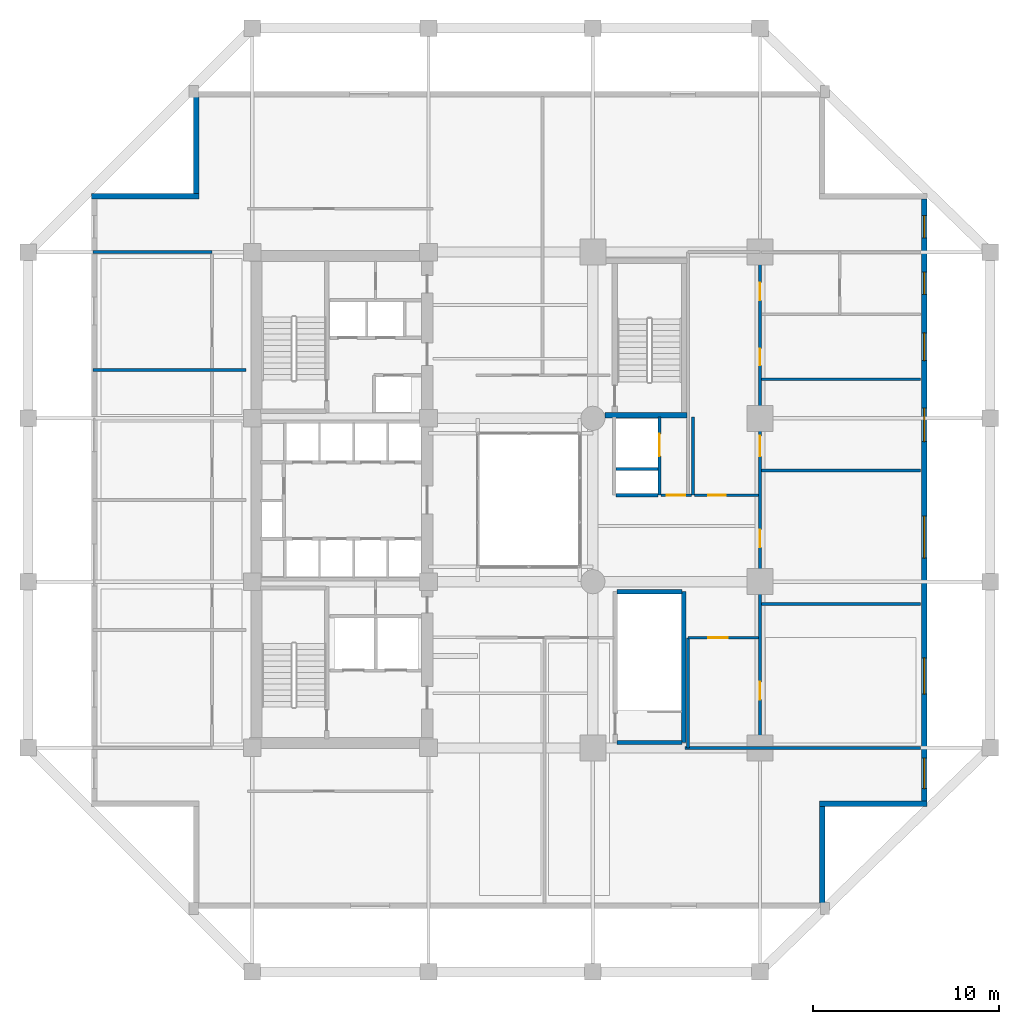
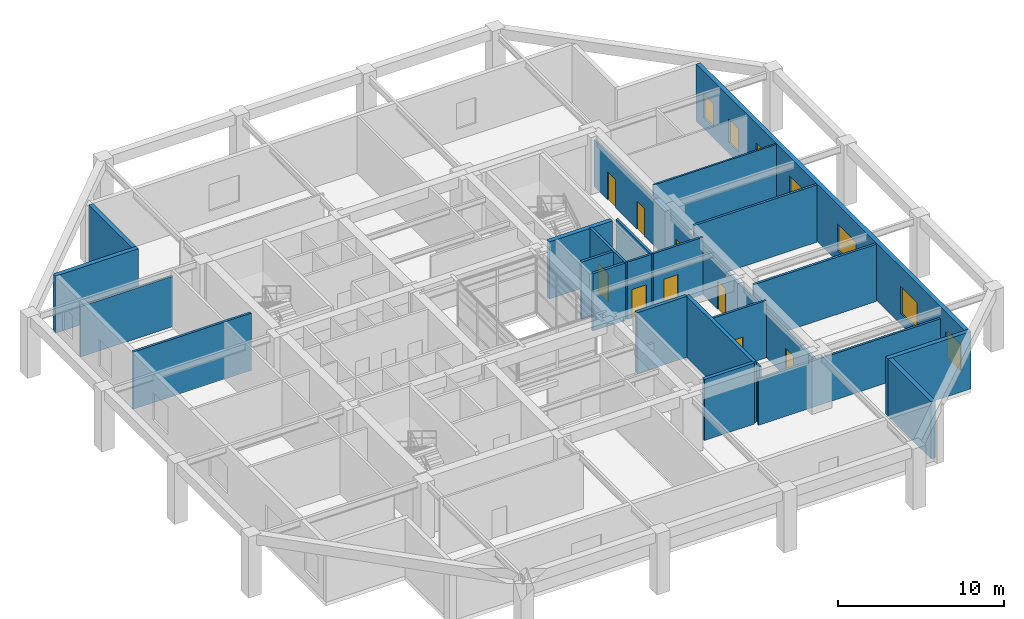
# One storey, part 8 of 13: 24 walls, 9 doors, 7 windows, 16 openings.
"""IFC4 building model written with IfcOpenShell, lengths in metres."""

from ifc_helpers import new_model, si_unit, direction, frame, frame_2d, origin, place, context, subcontext, project, spatial, rectangle, extrude, material, layer, layer_set, type_object, element, fill, save


model = new_model("IFC4")

# Units and contexts
model_context = context("Model", 3, precision=1e-05, world=origin(), true_north=direction((0.0, 1.0)))
body_context = subcontext(model_context, "Body", "Model", "MODEL_VIEW")
ifc_project = project(units=[si_unit("LENGTHUNIT", "METRE"), si_unit("AREAUNIT", "SQUARE_METRE"), si_unit("VOLUMEUNIT", "CUBIC_METRE"), si_unit("PLANEANGLEUNIT", "RADIAN"), si_unit("MASSUNIT", "GRAM", prefix="KILO")], contexts=[model_context])

# Site, building, storey
site_placement = place(None, origin())
site = spatial("IfcSite", under=ifc_project, at=site_placement, CompositionType="ELEMENT")
building_placement = place(site_placement, origin())
building = spatial("IfcBuilding", under=site, at=building_placement, Name="Kundavana Baori Tower", CompositionType="ELEMENT")
storey_placement = place(building_placement, frame((0.0, 0.0, 21.5)))
storey = spatial("IfcBuildingStorey", under=building, at=storey_placement, Name="L04", CompositionType="ELEMENT", Elevation=21.5)

# Walls
ifc_material_1 = material(Name="Concrete C50/60", Category="concrete")
ifc_layer_1 = layer(ifc_material_1, 0.39990234375, Name="WL-CORE-400")
ifc_layer_set_1 = layer_set([ifc_layer_1], Name="Concrete C50/60")
wall_type_1 = type_object("IfcWallType", Name="WL-CORE-400", PredefinedType="SHEAR", material=ifc_layer_set_1)
wall_1_placement = place(storey_placement, frame((38.68994140625, 15.5400390625, 0.0), z_axis=(0.0, 0.0, 1.0), x_axis=(0.0, 1.0, 0.0)))
element("IfcWall", 1, at=wall_1_placement, inside=storey, type_object=wall_type_1, Name="WL-L04-ST4-E", PredefinedType="SHEAR", context=body_context, shape_type="SweptSolid", body=[
    extrude(rectangle(XDim=8.119873046875, YDim=0.239990234375, at=frame_2d((4.06005859375, 0.0))), origin(), (0.0, 0.0, 1.0), 4.5),
])
for number, where, z_axis, x_axis, name in (
    (2, (35.10009765625, 15.5400390625, 0.0), (0.0, 0.0, 1.0), (1.0, 0.0, 0.0), "WL-L04-ST4-S"),
    (3, (35.10009765625, 23.659912109375, 0.0), (0.0, 0.0, 1.0), (1.0, 0.0, 0.0), "WL-L04-ST4-N"),
):
    element("IfcWall", number, at=place(storey_placement, frame(where, z_axis=z_axis, x_axis=x_axis)), inside=storey, type_object=wall_type_1, Name=name, PredefinedType="SHEAR", context=body_context, shape_type="SweptSolid", body=[
        extrude(rectangle(XDim=3.5, YDim=0.239990234375, at=frame_2d((1.75, 0.0))), origin(), (0.0, 0.0, 1.0), 4.5),
    ])
ifc_material_2 = material(Name="Red-Buff Dholpur Sandstone Cladding on Concrete C40/50", Category="masonry")
ifc_layer_2 = layer(ifc_material_2, 0.300048828125, Name="WL-EXT-SAND-300")
ifc_layer_set_2 = layer_set([ifc_layer_2], Name="Red-Buff Dholpur Sandstone Cladding on Concrete C40/50")
wall_type_2 = type_object("IfcWallType", Name="WL-EXT-SAND-300", PredefinedType="STANDARD", material=ifc_layer_set_2)
wall_2_placement = place(storey_placement, frame((46.14990234375, 6.89990234375, 0.0), z_axis=(0.0, 0.0, 1.0), x_axis=(0.0, 1.0, 0.0)))
element("IfcWall", 4, at=wall_2_placement, inside=storey, type_object=wall_type_2, Name="L04 Exterior Insulated Facade Wall 02", PredefinedType="STANDARD", context=body_context, shape_type="SweptSolid", body=[
    extrude(rectangle(XDim=5.2001953125, YDim=0.300048828125, at=frame_2d((2.60009765625, 0.0))), origin(), (0.0, 0.0, 1.0), 4.219970703125),
])
wall_3_placement = place(storey_placement, frame((46.0, 12.25, 0.0), z_axis=(0.0, 0.0, 1.0), x_axis=(1.0, 0.0, 0.0)))
element("IfcWall", 5, at=wall_3_placement, inside=storey, type_object=wall_type_2, Name="L04 Exterior Insulated Facade Wall 03", PredefinedType="STANDARD", context=body_context, shape_type="SweptSolid", body=[
    extrude(rectangle(XDim=5.800048828125, YDim=0.300048828125, at=frame_2d((2.89990234375, 0.0))), origin(), (0.0, 0.0, 1.0), 4.219970703125),
])

# Wall, openings, windows
wall_4_placement = place(storey_placement, frame((51.64990234375, 12.39990234375, 0.0), z_axis=(0.0, 0.0, 1.0), x_axis=(0.0, 1.0, 0.0)))
wall_4 = element("IfcWall", 6, at=wall_4_placement, inside=storey, type_object=wall_type_2, Name="L04 Exterior Insulated Facade Wall 04", PredefinedType="STANDARD", context=body_context, shape_type="SweptSolid", body=[
    extrude(rectangle(XDim=32.400146484375, YDim=0.300048828125, at=frame_2d((16.2001953125, 0.0))), origin(), (0.0, 0.0, 1.0), 4.219970703125),
])
opening_1_placement = place(wall_4_placement, frame((0.655029296875, 0.0, 0.800048828125)))
opening_1 = element("IfcOpeningElement", 7, at=opening_1_placement, cuts=wall_4, Name="Opening W-08", PredefinedType="OPENING", context=body_context, shape_type="SweptSolid", body=[
    extrude(rectangle(XDim=1.64990234375, YDim=1.949951171875, at=frame_2d((0.824951171875, 0.97509765625))), frame((0.0, 0.16015625, 0.0), z_axis=(0.0, -1.0, 0.0), x_axis=(1.0, 0.0, 0.0)), (0.0, 0.0, 1.0), 0.320068359375),
])
opening_2_placement = place(wall_4_placement, frame((5.75, 0.0, 0.800048828125)))
opening_2 = element("IfcOpeningElement", 8, at=opening_2_placement, cuts=wall_4, Name="Opening W-09", PredefinedType="OPENING", context=body_context, shape_type="SweptSolid", body=[
    extrude(rectangle(XDim=1.949951171875, YDim=2.0, at=frame_2d((0.97509765625, 1.0))), frame((0.0, 0.16015625, 0.0), z_axis=(0.0, -1.0, 0.0), x_axis=(1.0, 0.0, 0.0)), (0.0, 0.0, 1.0), 0.320068359375),
])
opening_3_placement = place(wall_4_placement, frame((13.074951171875, 0.0, 0.800048828125)))
opening_3 = element("IfcOpeningElement", 9, at=opening_3_placement, cuts=wall_4, Name="Opening W-10", PredefinedType="OPENING", context=body_context, shape_type="SweptSolid", body=[
    extrude(rectangle(XDim=2.25, YDim=2.0, at=frame_2d((1.125, 1.0))), frame((0.0, 0.16015625, 0.0), z_axis=(0.0, -1.0, 0.0), x_axis=(1.0, 0.0, 0.0)), (0.0, 0.0, 1.0), 0.320068359375),
])
opening_4_placement = place(wall_4_placement, frame((19.35009765625, 0.0, 0.800048828125)))
opening_4 = element("IfcOpeningElement", 10, at=opening_4_placement, cuts=wall_4, Name="Opening W-01", PredefinedType="OPENING", context=body_context, shape_type="SweptSolid", body=[
    extrude(rectangle(XDim=1.800048828125, YDim=2.0, at=frame_2d((0.89990234375, 1.0))), frame((0.0, 0.16015625, 0.0), z_axis=(0.0, -1.0, 0.0), x_axis=(1.0, 0.0, 0.0)), (0.0, 0.0, 1.0), 0.320068359375),
])
opening_5_placement = place(wall_4_placement, frame((23.699951171875, 0.0, 0.800048828125)))
opening_5 = element("IfcOpeningElement", 11, at=opening_5_placement, cuts=wall_4, Name="Opening W-02", PredefinedType="OPENING", context=body_context, shape_type="SweptSolid", body=[
    extrude(rectangle(XDim=1.5, YDim=2.0, at=frame_2d((0.75, 1.0))), frame((0.0, 0.16015625, 0.0), z_axis=(0.0, -1.0, 0.0), x_axis=(1.0, 0.0, 0.0)), (0.0, 0.0, 1.0), 0.320068359375),
])
opening_6_placement = place(wall_4_placement, frame((27.27490234375, 0.0, 0.800048828125)))
opening_6 = element("IfcOpeningElement", 12, at=opening_6_placement, cuts=wall_4, Name="Opening W-03", PredefinedType="OPENING", context=body_context, shape_type="SweptSolid", body=[
    extrude(rectangle(XDim=1.199951171875, YDim=1.75, at=frame_2d((0.60009765625, 0.875))), frame((0.0, 0.16015625, 0.0), z_axis=(0.0, -1.0, 0.0), x_axis=(1.0, 0.0, 0.0)), (0.0, 0.0, 1.0), 0.320068359375),
])
opening_7_placement = place(wall_4_placement, frame((30.320068359375, 0.0, 0.800048828125)))
opening_7 = element("IfcOpeningElement", 13, at=opening_7_placement, cuts=wall_4, Name="Opening W-03", PredefinedType="OPENING", context=body_context, shape_type="SweptSolid", body=[
    extrude(rectangle(XDim=1.199951171875, YDim=1.75, at=frame_2d((0.60009765625, 0.875))), frame((0.0, 0.16015625, 0.0), z_axis=(0.0, -1.0, 0.0), x_axis=(1.0, 0.0, 0.0)), (0.0, 0.0, 1.0), 0.320068359375),
])
ifc_material_3 = material(Name="Double-Glazed Solar-Control Low-E Insulated Glass", Category="glass")
window_type_1 = type_object("IfcWindowType", Name="WIN-LOG-1200x1750", PartitioningType="SINGLE_PANEL", PredefinedType="WINDOW", material=ifc_material_3)
window_1_placement = place(opening_6_placement, origin())
window_1 = element("IfcWindow", 14, at=window_1_placement, inside=storey, type_object=window_type_1, Name="L04 Recessed Loggia Window E-6", OverallHeight=1.75, OverallWidth=1.199951171875, PartitioningType="SINGLE_PANEL", PredefinedType="WINDOW", context=body_context, shape_type="SweptSolid", body=[
    extrude(rectangle(XDim=1.199951171875, YDim=1.75, at=frame_2d((0.60009765625, 0.875))), frame((0.0, 0.030029296875, 0.0), z_axis=(0.0, -1.0, 0.0), x_axis=(1.0, 0.0, 0.0)), (0.0, 0.0, 1.0), 0.06005859375),
])
fill(opening_6, window_1)
window_2_placement = place(opening_7_placement, origin())
window_2 = element("IfcWindow", 15, at=window_2_placement, inside=storey, type_object=window_type_1, Name="L04 Recessed Loggia Window E-7", OverallHeight=1.75, OverallWidth=1.199951171875, PartitioningType="SINGLE_PANEL", PredefinedType="WINDOW", context=body_context, shape_type="SweptSolid", body=[
    extrude(rectangle(XDim=1.199951171875, YDim=1.75, at=frame_2d((0.60009765625, 0.875))), frame((0.0, 0.030029296875, 0.0), z_axis=(0.0, -1.0, 0.0), x_axis=(1.0, 0.0, 0.0)), (0.0, 0.0, 1.0), 0.06005859375),
])
fill(opening_7, window_2)
ifc_material_4 = material(Name="Double-Glazed Solar-Control Low-E Insulated Glass", Category="glass")
window_type_2 = type_object("IfcWindowType", Name="WIN-LOG-1500x2000", PartitioningType="SINGLE_PANEL", PredefinedType="WINDOW", material=ifc_material_4)
window_3_placement = place(opening_5_placement, origin())
window_3 = element("IfcWindow", 16, at=window_3_placement, inside=storey, type_object=window_type_2, Name="L04 Recessed Loggia Window E-5", OverallHeight=2.0, OverallWidth=1.5, PartitioningType="SINGLE_PANEL", PredefinedType="WINDOW", context=body_context, shape_type="SweptSolid", body=[
    extrude(rectangle(XDim=1.5, YDim=2.0, at=frame_2d((0.75, 1.0))), frame((0.0, 0.030029296875, 0.0), z_axis=(0.0, -1.0, 0.0), x_axis=(1.0, 0.0, 0.0)), (0.0, 0.0, 1.0), 0.06005859375),
])
fill(opening_5, window_3)
ifc_material_5 = material(Name="Double-Glazed Solar-Control Low-E Insulated Glass", Category="glass")
window_type_3 = type_object("IfcWindowType", Name="WIN-LOG-1650x1950", PartitioningType="SINGLE_PANEL", PredefinedType="WINDOW", material=ifc_material_5)
window_4_placement = place(opening_1_placement, origin())
window_4 = element("IfcWindow", 17, at=window_4_placement, inside=storey, type_object=window_type_3, Name="L04 Recessed Loggia Window E-1", OverallHeight=1.949951171875, OverallWidth=1.64990234375, PartitioningType="SINGLE_PANEL", PredefinedType="WINDOW", context=body_context, shape_type="SweptSolid", body=[
    extrude(rectangle(XDim=1.64990234375, YDim=1.949951171875, at=frame_2d((0.824951171875, 0.97509765625))), frame((0.0, 0.030029296875, 0.0), z_axis=(0.0, -1.0, 0.0), x_axis=(1.0, 0.0, 0.0)), (0.0, 0.0, 1.0), 0.06005859375),
])
fill(opening_1, window_4)
ifc_material_6 = material(Name="Double-Glazed Solar-Control Low-E Insulated Glass", Category="glass")
window_type_4 = type_object("IfcWindowType", Name="WIN-LOG-1800x2000", PartitioningType="SINGLE_PANEL", PredefinedType="WINDOW", material=ifc_material_6)
window_5_placement = place(opening_4_placement, origin())
window_5 = element("IfcWindow", 18, at=window_5_placement, inside=storey, type_object=window_type_4, Name="L04 Recessed Loggia Window E-4", OverallHeight=2.0, OverallWidth=1.800048828125, PartitioningType="SINGLE_PANEL", PredefinedType="WINDOW", context=body_context, shape_type="SweptSolid", body=[
    extrude(rectangle(XDim=1.800048828125, YDim=2.0, at=frame_2d((0.89990234375, 1.0))), frame((0.0, 0.030029296875, 0.0), z_axis=(0.0, -1.0, 0.0), x_axis=(1.0, 0.0, 0.0)), (0.0, 0.0, 1.0), 0.06005859375),
])
fill(opening_4, window_5)
ifc_material_7 = material(Name="Double-Glazed Solar-Control Low-E Insulated Glass", Category="glass")
window_type_5 = type_object("IfcWindowType", Name="WIN-LOG-1950x2000", PartitioningType="SINGLE_PANEL", PredefinedType="WINDOW", material=ifc_material_7)
window_6_placement = place(opening_2_placement, origin())
window_6 = element("IfcWindow", 19, at=window_6_placement, inside=storey, type_object=window_type_5, Name="L04 Recessed Loggia Window E-2", OverallHeight=2.0, OverallWidth=1.949951171875, PartitioningType="SINGLE_PANEL", PredefinedType="WINDOW", context=body_context, shape_type="SweptSolid", body=[
    extrude(rectangle(XDim=1.949951171875, YDim=2.0, at=frame_2d((0.97509765625, 1.0))), frame((0.0, 0.030029296875, 0.0), z_axis=(0.0, -1.0, 0.0), x_axis=(1.0, 0.0, 0.0)), (0.0, 0.0, 1.0), 0.06005859375),
])
fill(opening_2, window_6)
ifc_material_8 = material(Name="Double-Glazed Solar-Control Low-E Insulated Glass", Category="glass")
window_type_6 = type_object("IfcWindowType", Name="WIN-LOG-2250x2000", PartitioningType="SINGLE_PANEL", PredefinedType="WINDOW", material=ifc_material_8)
window_7_placement = place(opening_3_placement, origin())
window_7 = element("IfcWindow", 20, at=window_7_placement, inside=storey, type_object=window_type_6, Name="L04 Recessed Loggia Window E-3", OverallHeight=2.0, OverallWidth=2.25, PartitioningType="SINGLE_PANEL", PredefinedType="WINDOW", context=body_context, shape_type="SweptSolid", body=[
    extrude(rectangle(XDim=2.25, YDim=2.0, at=frame_2d((1.125, 1.0))), frame((0.0, 0.030029296875, 0.0), z_axis=(0.0, -1.0, 0.0), x_axis=(1.0, 0.0, 0.0)), (0.0, 0.0, 1.0), 0.06005859375),
])
fill(opening_3, window_7)

# Walls
wall_5_placement = place(storey_placement, frame((12.449951171875, 50.300048828125, 0.0), z_axis=(0.0, 0.0, 1.0), x_axis=(0.0, -1.0, 0.0)))
element("IfcWall", 21, at=wall_5_placement, inside=storey, type_object=wall_type_2, Name="L04 Exterior Insulated Facade Wall 08", PredefinedType="STANDARD", context=body_context, shape_type="SweptSolid", body=[
    extrude(rectangle(XDim=5.199951171875, YDim=0.300048828125, at=frame_2d((2.60009765625, 0.0))), origin(), (0.0, 0.0, 1.0), 4.219970703125),
])
wall_6_placement = place(storey_placement, frame((12.60009765625, 44.949951171875, 0.0), z_axis=(0.0, 0.0, 1.0), x_axis=(-1.0, 0.0, 0.0)))
element("IfcWall", 22, at=wall_6_placement, inside=storey, type_object=wall_type_2, Name="L04 Exterior Insulated Facade Wall 09", PredefinedType="STANDARD", context=body_context, shape_type="SweptSolid", body=[
    extrude(rectangle(XDim=5.800048828125, YDim=0.300048828125, at=frame_2d((2.89990234375, 0.0))), origin(), (0.0, 0.0, 1.0), 4.219970703125),
])
ifc_material_9 = material(Name="Fire-Rated Gypsum Drywall on Galvanised Steel Studs", Category="steel")
ifc_layer_3 = layer(ifc_material_9, 0.14990234375, Name="WL-PART-150")
ifc_layer_set_3 = layer_set([ifc_layer_3], Name="Fire-Rated Gypsum Drywall on Galvanised Steel Studs")
wall_type_3 = type_object("IfcWallType", Name="WL-PART-150", PredefinedType="PARTITIONING", material=ifc_layer_set_3)
wall_7_placement = place(storey_placement, frame((39.199951171875, 28.860107421875, 0.0), z_axis=(0.0, 0.0, 1.0), x_axis=(0.0, 1.0, 0.0)))
element("IfcWall", 23, at=wall_7_placement, inside=storey, type_object=wall_type_3, Name="WL-L04-SVLOB-E", PredefinedType="PARTITIONING", context=body_context, shape_type="SweptSolid", body=[
    extrude(rectangle(XDim=4.219970703125, YDim=0.14990234375, at=frame_2d((2.10986328125, 0.0))), origin(), (0.0, 0.0, 1.0), 4.219970703125),
])

# Wall, opening, door
wall_8_placement = place(storey_placement, frame((37.47998046875, 28.860107421875, 0.0), z_axis=(0.0, 0.0, 1.0), x_axis=(1.0, 0.0, 0.0)))
wall_8 = element("IfcWall", 24, at=wall_8_placement, inside=storey, type_object=wall_type_3, Name="WL-L04-SVLOB-S", PredefinedType="PARTITIONING", context=body_context, shape_type="SweptSolid", body=[
    extrude(rectangle(XDim=1.64013671875, YDim=0.14990234375, at=frame_2d((0.820068359375, 0.0))), origin(), (0.0, 0.0, 1.0), 4.219970703125),
])
opening_8_placement = place(wall_8_placement, frame((0.300048828125, 0.0, 0.0)))
opening_8 = element("IfcOpeningElement", 25, at=opening_8_placement, cuts=wall_8, Name="Opening FD-100", PredefinedType="OPENING", context=body_context, shape_type="SweptSolid", body=[
    extrude(rectangle(XDim=1.0, YDim=2.10009765625, at=frame_2d((0.5, 1.050048828125))), frame((0.0, 0.0849609375, 0.0), z_axis=(0.0, -1.0, 0.0), x_axis=(1.0, 0.0, 0.0)), (0.0, 0.0, 1.0), 0.169921875),
])
ifc_material_10 = material(Name="Engineered Teak Fire-Rated Timber Door Leaf", Category="wood")
door_type_1 = type_object("IfcDoorType", Name="DR-FD60-1000", OperationType="NOTDEFINED", PredefinedType="DOOR", material=ifc_material_10)
door_1_placement = place(opening_8_placement, origin())
door_1 = element("IfcDoor", 26, at=door_1_placement, inside=storey, type_object=door_type_1, Name="DR-L04-SVLOB-OUT", OperationType="SINGLE_SWING_LEFT", OverallHeight=2.10009765625, OverallWidth=1.0, PredefinedType="DOOR", context=body_context, shape_type="SweptSolid", body=[
    extrude(rectangle(XDim=1.0, YDim=2.10009765625, at=frame_2d((0.5, 1.050048828125))), frame((0.0, 0.02490234375, 0.0), z_axis=(0.0, -1.0, 0.0), x_axis=(1.0, 0.0, 0.0)), (0.0, 0.0, 1.0), 0.050048828125),
])
fill(opening_8, door_1)

# Wall, openings, doors
wall_9_placement = place(storey_placement, frame((42.800048828125, 15.25, 0.0), z_axis=(0.0, 0.0, 1.0), x_axis=(0.0, 1.0, 0.0)))
wall_9 = element("IfcWall", 27, at=wall_9_placement, inside=storey, type_object=wall_type_3, Name="WL-L04-PODE", PredefinedType="PARTITIONING", context=body_context, shape_type="SweptSolid", body=[
    extrude(rectangle(XDim=26.699951171875, YDim=0.14990234375, at=frame_2d((13.35009765625, 0.0))), origin(), (0.0, 0.0, 1.0), 3.419921875),
])
opening_9_placement = place(wall_9_placement, frame((2.60009765625, 0.0, 0.0)))
opening_9 = element("IfcOpeningElement", 28, at=opening_9_placement, cuts=wall_9, Name="Opening ID-095", PredefinedType="OPENING", context=body_context, shape_type="SweptSolid", body=[
    extrude(rectangle(XDim=0.949951171875, YDim=2.080078125, at=frame_2d((0.47509765625, 1.0400390625))), frame((0.0, 0.0849609375, 0.0), z_axis=(0.0, -1.0, 0.0), x_axis=(1.0, 0.0, 0.0)), (0.0, 0.0, 1.0), 0.169921875),
])
opening_10_placement = place(wall_9_placement, frame((10.800048828125, 0.0, 0.0)))
opening_10 = element("IfcOpeningElement", 29, at=opening_10_placement, cuts=wall_9, Name="Opening ID-095", PredefinedType="OPENING", context=body_context, shape_type="SweptSolid", body=[
    extrude(rectangle(XDim=0.949951171875, YDim=2.080078125, at=frame_2d((0.47509765625, 1.0400390625))), frame((0.0, 0.0849609375, 0.0), z_axis=(0.0, -1.0, 0.0), x_axis=(1.0, 0.0, 0.0)), (0.0, 0.0, 1.0), 0.169921875),
])
opening_11_placement = place(wall_9_placement, frame((15.699951171875, 0.0, 0.0)))
opening_11 = element("IfcOpeningElement", 30, at=opening_11_placement, cuts=wall_9, Name="Opening FD-112", PredefinedType="OPENING", context=body_context, shape_type="SweptSolid", body=[
    extrude(rectangle(XDim=1.10009765625, YDim=2.1201171875, at=frame_2d((0.550048828125, 1.06005859375))), frame((0.0, 0.0849609375, 0.0), z_axis=(0.0, -1.0, 0.0), x_axis=(1.0, 0.0, 0.0)), (0.0, 0.0, 1.0), 0.169921875),
])
opening_12_placement = place(wall_9_placement, frame((20.60009765625, 0.0, 0.0)))
opening_12 = element("IfcOpeningElement", 31, at=opening_12_placement, cuts=wall_9, Name="Opening WD-090", PredefinedType="OPENING", context=body_context, shape_type="SweptSolid", body=[
    extrude(rectangle(XDim=0.89990234375, YDim=2.050048828125, at=frame_2d((0.449951171875, 1.02490234375))), frame((0.0, 0.0849609375, 0.0), z_axis=(0.0, -1.0, 0.0), x_axis=(1.0, 0.0, 0.0)), (0.0, 0.0, 1.0), 0.169921875),
])
opening_13_placement = place(wall_9_placement, frame((24.10009765625, 0.0, 0.0)))
opening_13 = element("IfcOpeningElement", 32, at=opening_13_placement, cuts=wall_9, Name="Opening WD-095", PredefinedType="OPENING", context=body_context, shape_type="SweptSolid", body=[
    extrude(rectangle(XDim=0.949951171875, YDim=2.050048828125, at=frame_2d((0.47509765625, 1.02490234375))), frame((0.0, 0.0849609375, 0.0), z_axis=(0.0, -1.0, 0.0), x_axis=(1.0, 0.0, 0.0)), (0.0, 0.0, 1.0), 0.169921875),
])
ifc_material_11 = material(Name="Engineered Teak Fire-Rated Timber Door Leaf", Category="wood")
door_type_2 = type_object("IfcDoorType", Name="DR-FD60-1100", OperationType="NOTDEFINED", PredefinedType="DOOR", material=ifc_material_11)
door_2_placement = place(opening_11_placement, origin())
door_2 = element("IfcDoor", 33, at=door_2_placement, inside=storey, type_object=door_type_2, Name="DR-L04-KITC", OperationType="SINGLE_SWING_LEFT", OverallHeight=2.1201171875, OverallWidth=1.10009765625, PredefinedType="DOOR", context=body_context, shape_type="SweptSolid", body=[
    extrude(rectangle(XDim=1.10009765625, YDim=2.1201171875, at=frame_2d((0.550048828125, 1.06005859375))), frame((0.0, 0.02490234375, 0.0), z_axis=(0.0, -1.0, 0.0), x_axis=(1.0, 0.0, 0.0)), (0.0, 0.0, 1.0), 0.050048828125),
])
fill(opening_11, door_2)
ifc_material_12 = material(Name="Engineered Teak Solid-Core Timber Veneer", Category="wood")
door_type_3 = type_object("IfcDoorType", Name="DR-INT-950", OperationType="NOTDEFINED", PredefinedType="DOOR", material=ifc_material_12)
door_3_placement = place(opening_9_placement, origin())
door_3 = element("IfcDoor", 34, at=door_3_placement, inside=storey, type_object=door_type_3, Name="DR-L04-MTGE1", OperationType="SINGLE_SWING_LEFT", OverallHeight=2.080078125, OverallWidth=0.949951171875, PredefinedType="DOOR", context=body_context, shape_type="SweptSolid", body=[
    extrude(rectangle(XDim=0.949951171875, YDim=2.080078125, at=frame_2d((0.47509765625, 1.0400390625))), frame((0.0, 0.02490234375, 0.0), z_axis=(0.0, -1.0, 0.0), x_axis=(1.0, 0.0, 0.0)), (0.0, 0.0, 1.0), 0.050048828125),
])
fill(opening_9, door_3)
door_4_placement = place(opening_10_placement, origin())
door_4 = element("IfcDoor", 35, at=door_4_placement, inside=storey, type_object=door_type_3, Name="DR-L04-MTGE2", OperationType="SINGLE_SWING_RIGHT", OverallHeight=2.080078125, OverallWidth=0.949951171875, PredefinedType="DOOR", context=body_context, shape_type="SweptSolid", body=[
    extrude(rectangle(XDim=0.949951171875, YDim=2.080078125, at=frame_2d((0.47509765625, 1.0400390625))), frame((0.0, 0.02490234375, 0.0), z_axis=(0.0, -1.0, 0.0), x_axis=(1.0, 0.0, 0.0)), (0.0, 0.0, 1.0), 0.050048828125),
])
fill(opening_10, door_4)
ifc_material_13 = material(Name="Engineered Teak Solid-Core Timber Veneer", Category="wood")
door_type_4 = type_object("IfcDoorType", Name="DR-WET-900", OperationType="NOTDEFINED", PredefinedType="DOOR", material=ifc_material_13)
door_5_placement = place(opening_12_placement, origin())
door_5 = element("IfcDoor", 36, at=door_5_placement, inside=storey, type_object=door_type_4, Name="DR-L04-WCP", OperationType="SINGLE_SWING_RIGHT", OverallHeight=2.050048828125, OverallWidth=0.89990234375, PredefinedType="DOOR", context=body_context, shape_type="SweptSolid", body=[
    extrude(rectangle(XDim=0.89990234375, YDim=2.050048828125, at=frame_2d((0.449951171875, 1.02490234375))), frame((0.0, 0.02490234375, 0.0), z_axis=(0.0, -1.0, 0.0), x_axis=(1.0, 0.0, 0.0)), (0.0, 0.0, 1.0), 0.050048828125),
])
fill(opening_12, door_5)
ifc_material_14 = material(Name="Engineered Teak Solid-Core Timber Veneer", Category="wood")
door_type_5 = type_object("IfcDoorType", Name="DR-WET-950", OperationType="NOTDEFINED", PredefinedType="DOOR", material=ifc_material_14)
door_6_placement = place(opening_13_placement, origin())
door_6 = element("IfcDoor", 37, at=door_6_placement, inside=storey, type_object=door_type_5, Name="DR-L04-WCA", OperationType="SINGLE_SWING_LEFT", OverallHeight=2.050048828125, OverallWidth=0.949951171875, PredefinedType="DOOR", context=body_context, shape_type="SweptSolid", body=[
    extrude(rectangle(XDim=0.949951171875, YDim=2.050048828125, at=frame_2d((0.47509765625, 1.02490234375))), frame((0.0, 0.02490234375, 0.0), z_axis=(0.0, -1.0, 0.0), x_axis=(1.0, 0.0, 0.0)), (0.0, 0.0, 1.0), 0.050048828125),
])
fill(opening_13, door_6)

# Wall
wall_10_placement = place(storey_placement, frame((38.75, 15.25, 0.0), z_axis=(0.0, 0.0, 1.0), x_axis=(1.0, 0.0, 0.0)))
element("IfcWall", 38, at=wall_10_placement, inside=storey, type_object=wall_type_3, Name="WL-L04-PODE-S", PredefinedType="PARTITIONING", context=body_context, shape_type="SweptSolid", body=[
    extrude(rectangle(XDim=12.699951171875, YDim=0.14990234375, at=frame_2d((6.35009765625, 0.0))), origin(), (0.0, 0.0, 1.0), 3.419921875),
])

# Wall, opening, door
wall_11_placement = place(storey_placement, frame((38.919921875, 21.179931640625, 0.0), z_axis=(0.0, 0.0, 1.0), x_axis=(1.0, 0.0, 0.0)))
wall_11 = element("IfcWall", 39, at=wall_11_placement, inside=storey, type_object=wall_type_3, Name="WL-L04-PSEBN", PredefinedType="PARTITIONING", context=body_context, shape_type="SweptSolid", body=[
    extrude(rectangle(XDim=3.800048828125, YDim=0.14990234375, at=frame_2d((1.89990234375, 0.0))), origin(), (0.0, 0.0, 1.0), 4.219970703125),
])
opening_14_placement = place(wall_11_placement, frame((1.10009765625, 0.0, 0.0)))
opening_14 = element("IfcOpeningElement", 40, at=opening_14_placement, cuts=wall_11, Name="Opening ID-105", PredefinedType="OPENING", context=body_context, shape_type="SweptSolid", body=[
    extrude(rectangle(XDim=1.050048828125, YDim=2.10009765625, at=frame_2d((0.52490234375, 1.050048828125))), frame((0.0, 0.0849609375, 0.0), z_axis=(0.0, -1.0, 0.0), x_axis=(1.0, 0.0, 0.0)), (0.0, 0.0, 1.0), 0.169921875),
])
ifc_material_15 = material(Name="Engineered Teak Solid-Core Timber Veneer", Category="wood")
door_type_6 = type_object("IfcDoorType", Name="DR-INT-1050", OperationType="NOTDEFINED", PredefinedType="DOOR", material=ifc_material_15)
door_7_placement = place(opening_14_placement, origin())
door_7 = element("IfcDoor", 41, at=door_7_placement, inside=storey, type_object=door_type_6, Name="DR-L04-BKSE", OperationType="SINGLE_SWING_LEFT", OverallHeight=2.10009765625, OverallWidth=1.050048828125, PredefinedType="DOOR", context=body_context, shape_type="SweptSolid", body=[
    extrude(rectangle(XDim=1.050048828125, YDim=2.10009765625, at=frame_2d((0.52490234375, 1.050048828125))), frame((0.0, 0.02490234375, 0.0), z_axis=(0.0, -1.0, 0.0), x_axis=(1.0, 0.0, 0.0)), (0.0, 0.0, 1.0), 0.050048828125),
])
fill(opening_14, door_7)

# Wall
wall_12_placement = place(storey_placement, frame((38.919921875, 15.25, 0.0), z_axis=(0.0, 0.0, 1.0), x_axis=(0.0, 1.0, 0.0)))
element("IfcWall", 42, at=wall_12_placement, inside=storey, type_object=wall_type_3, Name="WL-L04-PSEBW", PredefinedType="PARTITIONING", context=body_context, shape_type="SweptSolid", body=[
    extrude(rectangle(XDim=5.929931640625, YDim=0.14990234375, at=frame_2d((2.96484375, 0.0))), origin(), (0.0, 0.0, 1.0), 4.219970703125),
])

# Wall, opening, door
wall_13_placement = place(storey_placement, frame((39.280029296875, 28.860107421875, 0.0), z_axis=(0.0, 0.0, 1.0), x_axis=(1.0, 0.0, 0.0)))
wall_13 = element("IfcWall", 43, at=wall_13_placement, inside=storey, type_object=wall_type_3, Name="WL-L04-PEATS", PredefinedType="PARTITIONING", context=body_context, shape_type="SweptSolid", body=[
    extrude(rectangle(XDim=3.43994140625, YDim=0.14990234375, at=frame_2d((1.719970703125, 0.0))), origin(), (0.0, 0.0, 1.0), 4.219970703125),
])
opening_15_placement = place(wall_13_placement, frame((0.739990234375, 0.0, 0.0)))
opening_15 = element("IfcOpeningElement", 44, at=opening_15_placement, cuts=wall_13, Name="Opening ID-095", PredefinedType="OPENING", context=body_context, shape_type="SweptSolid", body=[
    extrude(rectangle(XDim=0.949951171875, YDim=2.080078125, at=frame_2d((0.47509765625, 1.0400390625))), frame((0.0, 0.0849609375, 0.0), z_axis=(0.0, -1.0, 0.0), x_axis=(1.0, 0.0, 0.0)), (0.0, 0.0, 1.0), 0.169921875),
])
door_8_placement = place(opening_15_placement, frame((0.949951171875, 0.0, 0.0), z_axis=(0.0, 0.0, 1.0), x_axis=(-1.0, 0.0, 0.0)))
door_8 = element("IfcDoor", 45, at=door_8_placement, inside=storey, type_object=door_type_3, Name="DR-L04-SLEA", OperationType="SINGLE_SWING_LEFT", OverallHeight=2.080078125, OverallWidth=0.949951171875, PredefinedType="DOOR", context=body_context, shape_type="SweptSolid", body=[
    extrude(rectangle(XDim=0.949951171875, YDim=2.080078125, at=frame_2d((0.47509765625, 1.0400390625))), frame((0.0, 0.02490234375, 0.0), z_axis=(0.0, -1.0, 0.0), x_axis=(1.0, 0.0, 0.0)), (0.0, 0.0, 1.0), 0.050048828125),
])
fill(opening_15, door_8)

# Walls
ifc_material_16 = material(Name="Fire-Rated Gypsum Drywall on Galvanised Steel Studs", Category="steel")
ifc_layer_4 = layer(ifc_material_16, 0.1650390625, Name="WL-PART-165")
ifc_layer_set_4 = layer_set([ifc_layer_4], Name="Fire-Rated Gypsum Drywall on Galvanised Steel Studs")
wall_type_4 = type_object("IfcWallType", Name="WL-PART-165", PredefinedType="PARTITIONING", material=ifc_layer_set_4)
wall_14_placement = place(storey_placement, frame((6.8798828125, 41.949951171875, 0.0), z_axis=(0.0, 0.0, 1.0), x_axis=(1.0, 0.0, 0.0)))
element("IfcWall", 46, at=wall_14_placement, inside=storey, type_object=wall_type_4, Name="WL-L04-PW-N", PredefinedType="PARTITIONING", context=body_context, shape_type="SweptSolid", body=[
    extrude(rectangle(XDim=6.420166015625, YDim=0.1650390625, at=frame_2d((3.2099609375, 0.0))), origin(), (0.0, 0.0, 1.0), 3.719970703125),
])
for number, where, z_axis, x_axis, name in (
    (47, (42.8798828125, 23.0, 0.0), (0.0, 0.0, 1.0), (1.0, 0.0, 0.0), "WL-L04-CD1"),
    (48, (42.8798828125, 30.199951171875, 0.0), (0.0, 0.0, 1.0), (1.0, 0.0, 0.0), "WL-L04-CD2"),
):
    element("IfcWall", number, at=place(storey_placement, frame(where, z_axis=z_axis, x_axis=x_axis)), inside=storey, type_object=wall_type_4, Name=name, PredefinedType="PARTITIONING", context=body_context, shape_type="SweptSolid", body=[
        extrude(rectangle(XDim=8.570068359375, YDim=0.1650390625, at=frame_2d((4.28515625, 0.0))), origin(), (0.0, 0.0, 1.0), 4.219970703125),
    ])
wall_15_placement = place(storey_placement, frame((6.8798828125, 35.60009765625, 0.0), z_axis=(0.0, 0.0, 1.0), x_axis=(1.0, 0.0, 0.0)))
element("IfcWall", 49, at=wall_15_placement, inside=storey, type_object=wall_type_4, Name="WL-L04-GW3", PredefinedType="PARTITIONING", context=body_context, shape_type="SweptSolid", body=[
    extrude(rectangle(XDim=8.240234375, YDim=0.1650390625, at=frame_2d((4.1201171875, 0.0))), origin(), (0.0, 0.0, 1.0), 4.219970703125),
])

# Wall, opening, door
ifc_material_17 = material(Name="Autoclaved Aerated Concrete Blockwork Masonry", Category="masonry")
ifc_layer_5 = layer(ifc_material_17, 0.179931640625, Name="WL-SHAFT-180")
ifc_layer_set_5 = layer_set([ifc_layer_5], Name="Autoclaved Aerated Concrete Blockwork Masonry")
wall_type_5 = type_object("IfcWallType", Name="WL-SHAFT-180", PredefinedType="SOLIDWALL", material=ifc_layer_set_5)
wall_16_placement = place(storey_placement, frame((37.389892578125, 28.860107421875, 0.0), z_axis=(0.0, 0.0, 1.0), x_axis=(0.0, 1.0, 0.0)))
wall_16 = element("IfcWall", 50, at=wall_16_placement, inside=storey, type_object=wall_type_5, Name="WL-L04-SVL-E", PredefinedType="SOLIDWALL", context=body_context, shape_type="SweptSolid", body=[
    extrude(rectangle(XDim=4.219970703125, YDim=0.179931640625, at=frame_2d((2.10986328125, 0.0))), origin(), (0.0, 0.0, 1.0), 4.219970703125),
])
opening_16_placement = place(wall_16_placement, frame((2.10009765625, 0.0, 0.0)))
opening_16 = element("IfcOpeningElement", 51, at=opening_16_placement, cuts=wall_16, Name="Opening LD-120", PredefinedType="OPENING", context=body_context, shape_type="SweptSolid", body=[
    extrude(rectangle(XDim=1.199951171875, YDim=2.1201171875, at=frame_2d((0.60009765625, 1.06005859375))), frame((0.0, 0.10009765625, 0.0), z_axis=(0.0, -1.0, 0.0), x_axis=(1.0, 0.0, 0.0)), (0.0, 0.0, 1.0), 0.199951171875),
])
ifc_material_18 = material(Name="Galvanised Steel Fire-Rated Door Leaf", Category="steel")
door_type_7 = type_object("IfcDoorType", Name="DR-SLIDE-LD1200", OperationType="NOTDEFINED", PredefinedType="DOOR", material=ifc_material_18)
door_9_placement = place(opening_16_placement, frame((1.199951171875, 0.0, 0.0), z_axis=(0.0, 0.0, 1.0), x_axis=(-1.0, 0.0, 0.0)))
door_9 = element("IfcDoor", 52, at=door_9_placement, inside=storey, type_object=door_type_7, Name="DR-L04-LD-SVL1", OperationType="DOUBLE_DOOR_SLIDING", OverallHeight=2.1201171875, OverallWidth=1.199951171875, PredefinedType="DOOR", context=body_context, shape_type="SweptSolid", body=[
    extrude(rectangle(XDim=1.199951171875, YDim=2.1201171875, at=frame_2d((0.60009765625, 1.06005859375))), frame((0.0, 0.02490234375, 0.0), z_axis=(0.0, -1.0, 0.0), x_axis=(1.0, 0.0, 0.0)), (0.0, 0.0, 1.0), 0.050048828125),
])
fill(opening_16, door_9)

# Walls
for number, where, z_axis, x_axis, name in (
    (53, (35.050048828125, 28.860107421875, 0.0), (0.0, 0.0, 1.0), (1.0, 0.0, 0.0), "WL-L04-SVL-S"),
    (54, (35.050048828125, 30.27001953125, 0.0), (0.0, 0.0, 1.0), (1.0, 0.0, 0.0), "WL-L04-SVL-M"),
):
    element("IfcWall", number, at=place(storey_placement, frame(where, z_axis=z_axis, x_axis=x_axis)), inside=storey, type_object=wall_type_5, Name=name, PredefinedType="SOLIDWALL", context=body_context, shape_type="SweptSolid", body=[
        extrude(rectangle(XDim=2.25, YDim=0.179931640625, at=frame_2d((1.125, 0.0))), origin(), (0.0, 0.0, 1.0), 4.219970703125),
    ])
ifc_material_19 = material(Name="Concrete C50/60", Category="concrete")
ifc_layer_6 = layer(ifc_material_19, 0.300048828125, Name="WL-ST3-300")
ifc_layer_set_6 = layer_set([ifc_layer_6], Name="Concrete C50/60")
wall_type_6 = type_object("IfcWallType", Name="WL-ST3-300", PredefinedType="SHEAR", material=ifc_layer_set_6)
wall_17_placement = place(storey_placement, frame((34.449951171875, 33.159912109375, 0.0), z_axis=(0.0, 0.0, 1.0), x_axis=(1.0, 0.0, 0.0)))
element("IfcWall", 55, at=wall_17_placement, inside=storey, type_object=wall_type_6, Name="L04 Stair ST3 South Shear Wall", PredefinedType="SHEAR", context=body_context, shape_type="SweptSolid", body=[
    extrude(rectangle(XDim=4.420166015625, YDim=0.300048828125, at=frame_2d((2.2099609375, 0.0))), origin(), (0.0, 0.0, 1.0), 4.219970703125),
])
ifc_material_20 = material(Name="Autoclaved Aerated Concrete Blockwork Masonry", Category="masonry")
ifc_layer_7 = layer(ifc_material_20, 0.125, Name="WL-WET-120")
ifc_layer_set_7 = layer_set([ifc_layer_7], Name="Autoclaved Aerated Concrete Blockwork Masonry")
wall_type_7 = type_object("IfcWallType", Name="WL-WET-120", PredefinedType="PLUMBINGWALL", material=ifc_layer_set_7)
wall_18_placement = place(storey_placement, frame((42.8798828125, 35.10009765625, 0.0), z_axis=(0.0, 0.0, 1.0), x_axis=(1.0, 0.0, 0.0)))
element("IfcWall", 56, at=wall_18_placement, inside=storey, type_object=wall_type_7, Name="WL-L04-CD3", PredefinedType="PLUMBINGWALL", context=body_context, shape_type="SweptSolid", body=[
    extrude(rectangle(XDim=8.570068359375, YDim=0.125, at=frame_2d((4.28515625, 0.0))), origin(), (0.0, 0.0, 1.0), 4.219970703125),
])

save(model, "model.ifc")
